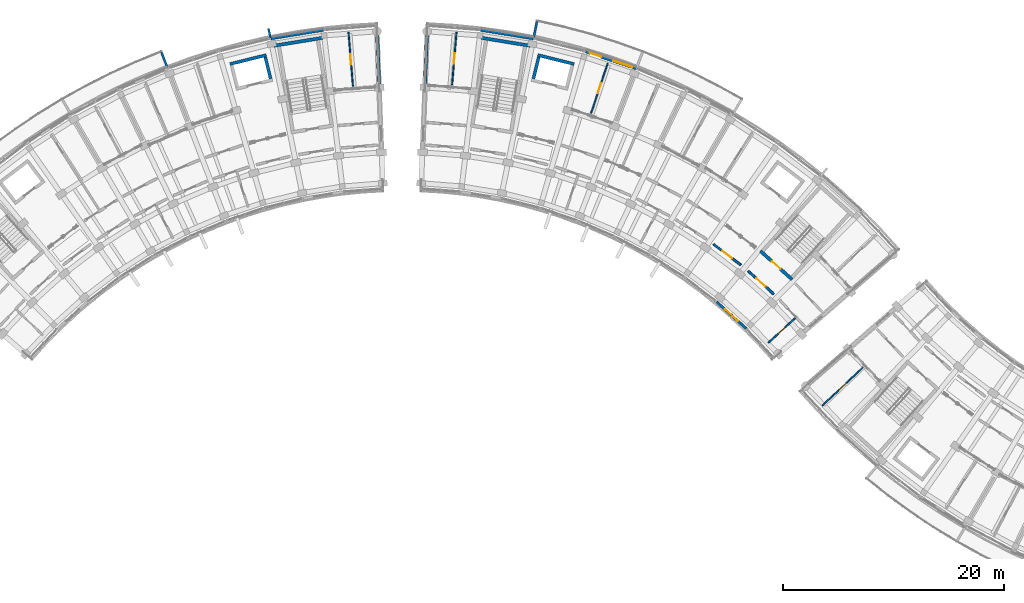
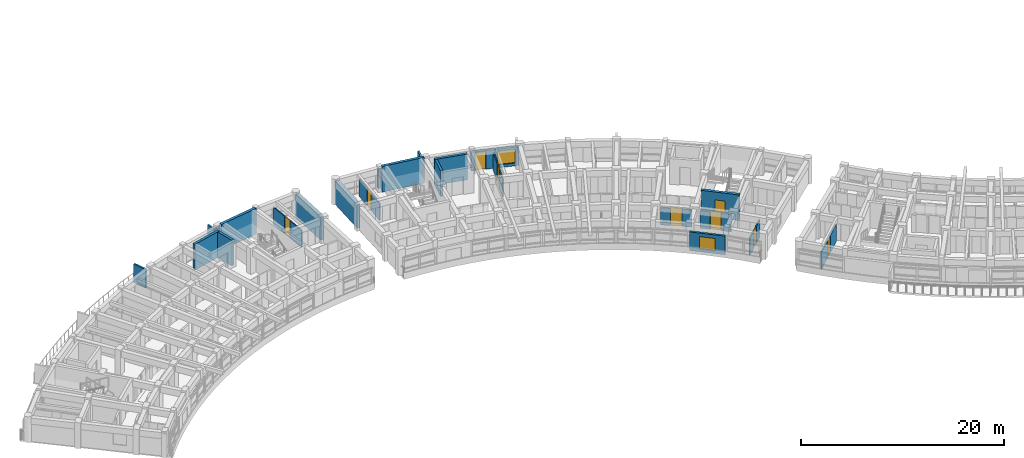
# One storey, part 48 of 70: 23 walls, 9 doors, 2 windows, 11 openings.
"""IFC4 building model written with IfcOpenShell, lengths in metres."""

from ifc_helpers import new_model, si_unit, direction, frame, frame_2d, origin, place, context, subcontext, project, spatial, rectangle, extrude, material, layer, layer_set, type_object, element, fill, save


model = new_model("IFC4")

# Units and contexts
model_context = context("Model", 3, precision=1e-05, world=origin(), true_north=direction((0.0, 1.0)))
body_context = subcontext(model_context, "Body", "Model", "MODEL_VIEW")
ifc_project = project(units=[si_unit("LENGTHUNIT", "METRE"), si_unit("AREAUNIT", "SQUARE_METRE"), si_unit("VOLUMEUNIT", "CUBIC_METRE"), si_unit("PLANEANGLEUNIT", "RADIAN"), si_unit("MASSUNIT", "GRAM", prefix="KILO")], contexts=[model_context])

# Site, building, storey
site_placement = place(None, origin())
site = spatial("IfcSite", under=ifc_project, at=site_placement, CompositionType="ELEMENT")
building_placement = place(site_placement, origin())
building = spatial("IfcBuilding", under=site, at=building_placement, Name="Zimvara Arc Housing Community", CompositionType="ELEMENT")
storey_placement = place(building_placement, frame((0.0, 0.0, 8.10009765625)))
storey = spatial("IfcBuildingStorey", under=building, at=storey_placement, Name="L02", CompositionType="ELEMENT", Elevation=8.10009765625)

# Wall, opening, window
ifc_material_1 = material(Name="Board-Marked Fair-Faced Concrete C35/45", Category="concrete")
ifc_layer_1 = layer(ifc_material_1, 0.22998046875)
ifc_layer_set_1 = layer_set([ifc_layer_1], Name="Board-Marked Fair-Faced Concrete C35/45")
wall_type_1 = type_object("IfcWallType", Name="EWL-CONC-230", PredefinedType="SOLIDWALL", material=ifc_layer_set_1)
wall_1_placement = place(storey_placement, frame((73.480712890625, 78.84716796875, 0.0), z_axis=(0.0, 0.0, 1.0), x_axis=(0.743385092197, -0.668863666751, 0.0)))
wall_1 = element("IfcWall", 1, at=wall_1_placement, inside=storey, type_object=wall_type_1, Name="ewall:blkB:L02:in:b8", PredefinedType="SOLIDWALL", context=body_context, shape_type="SweptSolid", body=[
    extrude(rectangle(XDim=3.603759765625, YDim=0.22998046875, at=frame_2d((1.8017578125, 0.0))), origin(), (0.0, 0.0, 1.0), 2.25),
])
opening_1_placement = place(wall_1_placement, frame((1.001708984375, 0.0, 0.320068359375)))
opening_1 = element("IfcOpeningElement", 2, at=opening_1_placement, cuts=wall_1, Name="Opening W03", PredefinedType="OPENING", context=body_context, shape_type="SweptSolid", body=[
    extrude(rectangle(XDim=1.60009765625, YDim=1.5, at=frame_2d((0.800048828125, 0.75))), frame((0.0, 0.125, 0.0), z_axis=(0.0, -1.0, 0.0), x_axis=(1.0, 0.0, 0.0)), (0.0, 0.0, 1.0), 0.25),
])
ifc_material_2 = material(Name="Solar Control Low-E Double Glazing", Category="glass")
window_type_1 = type_object("IfcWindowType", Name="WIN-RES-1600x1500", PartitioningType="DOUBLE_PANEL_VERTICAL", PredefinedType="WINDOW", material=ifc_material_2)
window_1_placement = place(opening_1_placement, origin())
window_1 = element("IfcWindow", 3, at=window_1_placement, inside=storey, type_object=window_type_1, Name="win:blkB:L02:in:b8", OverallHeight=1.5, OverallWidth=1.60009765625, PartitioningType="DOUBLE_PANEL_VERTICAL", PredefinedType="WINDOW", context=body_context, shape_type="SweptSolid", body=[
    extrude(rectangle(XDim=1.60009765625, YDim=1.5, at=frame_2d((0.800048828125, 0.75))), frame((0.0, 0.030029296875, 0.0), z_axis=(0.0, -1.0, 0.0), x_axis=(1.0, 0.0, 0.0)), (0.0, 0.0, 1.0), 0.06005859375),
])
fill(opening_1, window_1)

# Walls
ifc_material_3 = material(Name="Board-Marked Fair-Faced Concrete C35/45", Category="concrete")
ifc_layer_2 = layer(ifc_material_3, 0.195068359375)
ifc_layer_set_2 = layer_set([ifc_layer_2], Name="Board-Marked Fair-Faced Concrete C35/45")
wall_type_2 = type_object("IfcWallType", Name="EWL-PARA-195", PredefinedType="PARAPET", material=ifc_layer_set_2)
wall_2_placement = place(storey_placement, frame((23.783203125, 100.0029296875, 0.0), z_axis=(0.0, 0.0, 1.0), x_axis=(-0.356957296461, 0.934120703391, 0.0)))
element("IfcWall", 4, at=wall_2_placement, inside=storey, type_object=wall_type_2, Name="finwall:blkA:L02:out:b6", PredefinedType="PARAPET", context=body_context, shape_type="SweptSolid", body=[
    extrude(rectangle(XDim=1.530029296875, YDim=0.195068359375, at=frame_2d((0.76513671875, 0.0))), origin(), (0.0, 0.0, 1.0), 2.25),
])
wall_3_placement = place(storey_placement, frame((33.092529296875, 102.714599609375, 0.0), z_axis=(0.0, 0.0, 1.0), x_axis=(-0.200183211319, 0.979758481416, 0.0)))
element("IfcWall", 5, at=wall_3_placement, inside=storey, type_object=wall_type_2, Name="finwall:blkA:L02:out:b8", PredefinedType="PARAPET", context=body_context, shape_type="SweptSolid", body=[
    extrude(rectangle(XDim=0.900146484375, YDim=0.195068359375, at=frame_2d((0.4501953125, 0.0))), origin(), (0.0, 0.0, 1.0), 2.25),
])
wall_4_placement = place(storey_placement, frame((56.907470703125, 102.714599609375, 0.0), z_axis=(0.0, 0.0, 1.0), x_axis=(0.200410159258, 0.979712084271, 0.0)))
element("IfcWall", 6, at=wall_4_placement, inside=storey, type_object=wall_type_2, Name="finwall:blkB:L02:out:b2", PredefinedType="PARAPET", context=body_context, shape_type="SweptSolid", body=[
    extrude(rectangle(XDim=1.530029296875, YDim=0.195068359375, at=frame_2d((0.76513671875, 0.0))), origin(), (0.0, 0.0, 1.0), 2.25),
])
ifc_material_4 = material(Name="Board-Marked Fair-Faced Concrete C35/45", Category="concrete")
ifc_layer_3 = layer(ifc_material_4, 0.248046875)
ifc_layer_set_3 = layer_set([ifc_layer_3], Name="Board-Marked Fair-Faced Concrete C35/45")
wall_type_3 = type_object("IfcWallType", Name="EWL-VAR-17", PredefinedType="SOLIDWALL", material=ifc_layer_set_3)
for number, where, z_axis, x_axis, name in (
    (7, (33.120361328125, 102.6787109375, 0.0), (0.0, 0.0, 1.0), (0.987080750493, 0.160223568819, 0.0), "ewall:blkA:L02:out:b8"),
    (8, (52.1328125, 103.44921875, 0.0), (0.0, 0.0, 1.0), (0.987080750493, -0.160223568819, 0.0), "ewall:blkB:L02:out:b1"),
):
    element("IfcWall", number, at=place(storey_placement, frame(where, z_axis=z_axis, x_axis=x_axis)), inside=storey, type_object=wall_type_3, Name=name, PredefinedType="SOLIDWALL", context=body_context, shape_type="SweptSolid", body=[
        extrude(rectangle(XDim=4.808837890625, YDim=0.248046875, at=frame_2d((2.404296875, 0.0))), origin(), (0.0, 0.0, 1.0), 2.25),
    ])

# Wall, openings, door, window
ifc_material_5 = material(Name="Board-Marked Fair-Faced Concrete C35/45", Category="concrete")
ifc_layer_4 = layer(ifc_material_5, 0.258056640625)
ifc_layer_set_4 = layer_set([ifc_layer_4], Name="Board-Marked Fair-Faced Concrete C35/45")
wall_type_4 = type_object("IfcWallType", Name="EWL-VAR-19", PredefinedType="SOLIDWALL", material=ifc_layer_set_4)
wall_5_placement = place(storey_placement, frame((61.625244140625, 101.50439453125, 0.0), z_axis=(0.0, 0.0, 1.0), x_axis=(0.947867898788, -0.318663531717, 0.0)))
wall_5 = element("IfcWall", 9, at=wall_5_placement, inside=storey, type_object=wall_type_4, Name="ewall:blkB:L02:out:b3", PredefinedType="SOLIDWALL", context=body_context, shape_type="SweptSolid", body=[
    extrude(rectangle(XDim=4.80908203125, YDim=0.258056640625, at=frame_2d((2.404541015625, 0.0))), origin(), (0.0, 0.0, 1.0), 2.25),
])
opening_2_placement = place(wall_5_placement, frame((0.39990234375, 0.0, 0.0)))
opening_2 = element("IfcOpeningElement", 10, at=opening_2_placement, cuts=wall_5, Name="Opening ED06", PredefinedType="OPENING", context=body_context, shape_type="SweptSolid", body=[
    extrude(rectangle(XDim=1.10009765625, YDim=2.14990234375, at=frame_2d((0.550048828125, 1.074951171875))), frame((0.0, 0.138916015625, 0.0), z_axis=(0.0, -1.0, 0.0), x_axis=(1.0, 0.0, 0.0)), (0.0, 0.0, 1.0), 0.278076171875),
])
opening_3_placement = place(wall_5_placement, frame((2.658935546875, 0.0, 0.35009765625)))
opening_3 = element("IfcOpeningElement", 11, at=opening_3_placement, cuts=wall_5, Name="Opening W08", PredefinedType="OPENING", context=body_context, shape_type="SweptSolid", body=[
    extrude(rectangle(XDim=1.800048828125, YDim=1.64990234375, at=frame_2d((0.89990234375, 0.824951171875))), frame((0.0, 0.138916015625, 0.0), z_axis=(0.0, -1.0, 0.0), x_axis=(1.0, 0.0, 0.0)), (0.0, 0.0, 1.0), 0.278076171875),
])
ifc_material_6 = material(Name="Anodised Aluminium AW-6063", Category="aluminium")
door_type_1 = type_object("IfcDoorType", Name="EDR-TERR-1100x2150", OperationType="NOTDEFINED", PredefinedType="DOOR", material=ifc_material_6)
door_1_placement = place(opening_2_placement, origin())
door_1 = element("IfcDoor", 12, at=door_1_placement, inside=storey, type_object=door_type_1, Name="edoor:blkB:L02:bal_out:b3", OperationType="SINGLE_SWING_LEFT", OverallHeight=2.14990234375, OverallWidth=1.10009765625, PredefinedType="DOOR", context=body_context, shape_type="SweptSolid", body=[
    extrude(rectangle(XDim=1.10009765625, YDim=2.14990234375, at=frame_2d((0.550048828125, 1.074951171875))), frame((0.0, 0.02490234375, 0.0), z_axis=(0.0, -1.0, 0.0), x_axis=(1.0, 0.0, 0.0)), (0.0, 0.0, 1.0), 0.050048828125),
])
fill(opening_2, door_1)
ifc_material_7 = material(Name="Solar Control Low-E Double Glazing", Category="glass")
window_type_2 = type_object("IfcWindowType", Name="WIN-RES-1800x1650", PartitioningType="TRIPLE_PANEL_VERTICAL", PredefinedType="WINDOW", material=ifc_material_7)
window_2_placement = place(opening_3_placement, origin())
window_2 = element("IfcWindow", 13, at=window_2_placement, inside=storey, type_object=window_type_2, Name="win:blkB:L02:out:b3:balw", OverallHeight=1.64990234375, OverallWidth=1.800048828125, PartitioningType="TRIPLE_PANEL_VERTICAL", PredefinedType="WINDOW", context=body_context, shape_type="SweptSolid", body=[
    extrude(rectangle(XDim=1.800048828125, YDim=1.64990234375, at=frame_2d((0.89990234375, 0.824951171875))), frame((0.0, 0.030029296875, 0.0), z_axis=(0.0, -1.0, 0.0), x_axis=(1.0, 0.0, 0.0)), (0.0, 0.0, 1.0), 0.06005859375),
])
fill(opening_3, window_2)

# Wall, opening, door
ifc_material_8 = material(Name="Concrete C35/45", Category="concrete")
ifc_layer_5 = layer(ifc_material_8, 0.2099609375)
ifc_layer_set_5 = layer_set([ifc_layer_5], Name="Concrete C35/45")
wall_type_5 = type_object("IfcWallType", Name="IWL-CCF-210", PredefinedType="SOLIDWALL", material=ifc_layer_set_5)
wall_6_placement = place(storey_placement, frame((76.317138671875, 81.644287109375, 0.0), z_axis=(0.0, 0.0, 1.0), x_axis=(0.743387266925, -0.668861249718, 0.0)))
wall_6 = element("IfcWall", 14, at=wall_6_placement, inside=storey, type_object=wall_type_5, Name="iwall:blkB:L02:ccf_div:b8", PredefinedType="SOLIDWALL", context=body_context, shape_type="SweptSolid", body=[
    extrude(rectangle(XDim=3.12841796875, YDim=0.2099609375, at=frame_2d((1.564208984375, 0.0))), origin(), (0.0, 0.0, 1.0), 2.079833984375),
])
opening_4_placement = place(wall_6_placement, frame((1.014404296875, 0.0, 0.0)))
opening_4 = element("IfcOpeningElement", 15, at=opening_4_placement, cuts=wall_6, Name="Opening FD-CCF1", PredefinedType="OPENING", context=body_context, shape_type="SweptSolid", body=[
    extrude(rectangle(XDim=1.10009765625, YDim=2.14990234375, at=frame_2d((0.550048828125, 1.074951171875))), frame((0.0, 0.114990234375, 0.0), z_axis=(0.0, -1.0, 0.0), x_axis=(1.0, 0.0, 0.0)), (0.0, 0.0, 1.0), 0.22998046875),
])
ifc_material_9 = material(Name="Anodised Aluminium AW-6063", Category="aluminium")
door_type_2 = type_object("IfcDoorType", Name="IDR-CCF-1100x2150", OperationType="NOTDEFINED", PredefinedType="DOOR", material=ifc_material_9)
door_2_placement = place(opening_4_placement, origin())
door_2 = element("IfcDoor", 16, at=door_2_placement, inside=storey, type_object=door_type_2, Name="idoor:blkB:L02:ccf_in:b8", OperationType="SINGLE_SWING_RIGHT", OverallHeight=2.14990234375, OverallWidth=1.10009765625, PredefinedType="DOOR", context=body_context, shape_type="SweptSolid", body=[
    extrude(rectangle(XDim=1.10009765625, YDim=2.14990234375, at=frame_2d((0.550048828125, 1.074951171875))), frame((0.0, 0.02490234375, 0.0), z_axis=(0.0, -1.0, 0.0), x_axis=(1.0, 0.0, 0.0)), (0.0, 0.0, 1.0), 0.050048828125),
])
fill(opening_4, door_2)

ifc_material_10 = material(Name="Concrete C35/45", Category="concrete")
ifc_layer_6 = layer(ifc_material_10, 0.18994140625)
ifc_layer_set_6 = layer_set([ifc_layer_6], Name="Concrete C35/45")
wall_type_6 = type_object("IfcWallType", Name="IWL-CORR-190", PredefinedType="SOLIDWALL", material=ifc_layer_set_6)
wall_7_placement = place(storey_placement, frame((73.18212890625, 84.07568359375, 0.0), z_axis=(0.0, 0.0, 1.0), x_axis=(0.795501577908, -0.605951515838, 0.0)))
wall_7 = element("IfcWall", 17, at=wall_7_placement, inside=storey, type_object=wall_type_6, Name="iwall:blkB:L02:ra_div:b7", PredefinedType="SOLIDWALL", context=body_context, shape_type="SweptSolid", body=[
    extrude(rectangle(XDim=3.128662109375, YDim=0.18994140625, at=frame_2d((1.564453125, 0.0))), origin(), (0.0, 0.0, 1.0), 2.079833984375),
])
opening_5_placement = place(wall_7_placement, frame((1.00439453125, 0.0, 0.0)))
opening_5 = element("IfcOpeningElement", 18, at=opening_5_placement, cuts=wall_7, Name="Opening D07", PredefinedType="OPENING", context=body_context, shape_type="SweptSolid", body=[
    extrude(rectangle(XDim=1.1201171875, YDim=2.14990234375, at=frame_2d((0.56005859375, 1.074951171875))), frame((0.0, 0.10498046875, 0.0), z_axis=(0.0, -1.0, 0.0), x_axis=(1.0, 0.0, 0.0)), (0.0, 0.0, 1.0), 0.2099609375),
])
ifc_material_11 = material(Name="Mozambican Hardwood", Category="wood")
door_type_3 = type_object("IfcDoorType", Name="IDR-AMN-1120x2150", OperationType="NOTDEFINED", PredefinedType="DOOR", material=ifc_material_11)
door_3_placement = place(opening_5_placement, origin())
door_3 = element("IfcDoor", 19, at=door_3_placement, inside=storey, type_object=door_type_3, Name="idoor:blkB:L02:ra_d:b7", OperationType="SINGLE_SWING_LEFT", OverallHeight=2.14990234375, OverallWidth=1.1201171875, PredefinedType="DOOR", context=body_context, shape_type="SweptSolid", body=[
    extrude(rectangle(XDim=1.1201171875, YDim=2.14990234375, at=frame_2d((0.56005859375, 1.074951171875))), frame((0.0, 0.02490234375, 0.0), z_axis=(0.0, -1.0, 0.0), x_axis=(1.0, 0.0, 0.0)), (0.0, 0.0, 1.0), 0.050048828125),
])
fill(opening_5, door_3)

ifc_material_12 = material(Name="Painted Acoustic Plasterboard")
ifc_layer_7 = layer(ifc_material_12, 0.1201171875)
ifc_layer_set_7 = layer_set([ifc_layer_7], Name="Painted Acoustic Plasterboard")
wall_type_7 = type_object("IfcWallType", Name="IWL-PART-120", PredefinedType="PARTITIONING", material=ifc_layer_set_7)
wall_8_placement = place(storey_placement, frame((40.55908203125, 98.3671875, 0.0), z_axis=(0.0, 0.0, 1.0), x_axis=(-0.082158932509, 0.996619240136, 0.0)))
wall_8 = element("IfcWall", 20, at=wall_8_placement, inside=storey, type_object=wall_type_7, Name="iwall:blkA:L02:bed_div:b9", PredefinedType="PARTITIONING", context=body_context, shape_type="SweptSolid", body=[
    extrude(rectangle(XDim=4.900146484375, YDim=0.1201171875, at=frame_2d((2.4501953125, 0.0))), origin(), (0.0, 0.0, 1.0), 2.079833984375),
])
opening_6_placement = place(wall_8_placement, frame((1.989990234375, 0.0, 0.0)))
opening_6 = element("IfcOpeningElement", 21, at=opening_6_placement, cuts=wall_8, Name="Opening D02", PredefinedType="OPENING", context=body_context, shape_type="SweptSolid", body=[
    extrude(rectangle(XDim=0.919921875, YDim=2.10009765625, at=frame_2d((0.4599609375, 1.050048828125))), frame((0.0, 0.070068359375, 0.0), z_axis=(0.0, -1.0, 0.0), x_axis=(1.0, 0.0, 0.0)), (0.0, 0.0, 1.0), 0.14013671875),
])
ifc_material_13 = material(Name="Mozambican Hardwood", Category="wood")
door_type_4 = type_object("IfcDoorType", Name="IDR-RM-0920x2100", OperationType="NOTDEFINED", PredefinedType="DOOR", material=ifc_material_13)
door_4_placement = place(opening_6_placement, origin())
door_4 = element("IfcDoor", 22, at=door_4_placement, inside=storey, type_object=door_type_4, Name="idoor:blkA:L02:bed_d:b9", OperationType="SINGLE_SWING_LEFT", OverallHeight=2.10009765625, OverallWidth=0.919921875, PredefinedType="DOOR", context=body_context, shape_type="SweptSolid", body=[
    extrude(rectangle(XDim=0.919921875, YDim=2.10009765625, at=frame_2d((0.4599609375, 1.050048828125))), frame((0.0, 0.02490234375, 0.0), z_axis=(0.0, -1.0, 0.0), x_axis=(1.0, 0.0, 0.0)), (0.0, 0.0, 1.0), 0.050048828125),
])
fill(opening_6, door_4)

wall_9_placement = place(storey_placement, frame((49.53466796875, 98.510009765625, 0.0), z_axis=(0.0, 0.0, 1.0), x_axis=(0.083623955126, 0.996497382901, 0.0)))
wall_9 = element("IfcWall", 23, at=wall_9_placement, inside=storey, type_object=wall_type_7, Name="iwall:blkB:L02:bed_div:b0", PredefinedType="PARTITIONING", context=body_context, shape_type="SweptSolid", body=[
    extrude(rectangle(XDim=4.75, YDim=0.1201171875, at=frame_2d((2.375, 0.0))), origin(), (0.0, 0.0, 1.0), 2.079833984375),
])
opening_7_placement = place(wall_9_placement, frame((1.89501953125, 0.0, 0.0)))
opening_7 = element("IfcOpeningElement", 24, at=opening_7_placement, cuts=wall_9, Name="Opening D04", PredefinedType="OPENING", context=body_context, shape_type="SweptSolid", body=[
    extrude(rectangle(XDim=0.9599609375, YDim=2.10009765625, at=frame_2d((0.47998046875, 1.050048828125))), frame((0.0, 0.070068359375, 0.0), z_axis=(0.0, -1.0, 0.0), x_axis=(1.0, 0.0, 0.0)), (0.0, 0.0, 1.0), 0.14013671875),
])
ifc_material_14 = material(Name="Mozambican Hardwood", Category="wood")
door_type_5 = type_object("IfcDoorType", Name="IDR-RM-0960x2100", OperationType="NOTDEFINED", PredefinedType="DOOR", material=ifc_material_14)
door_5_placement = place(opening_7_placement, origin())
door_5 = element("IfcDoor", 25, at=door_5_placement, inside=storey, type_object=door_type_5, Name="idoor:blkB:L02:bed_d:b0", OperationType="SINGLE_SWING_LEFT", OverallHeight=2.10009765625, OverallWidth=0.9599609375, PredefinedType="DOOR", context=body_context, shape_type="SweptSolid", body=[
    extrude(rectangle(XDim=0.9599609375, YDim=2.10009765625, at=frame_2d((0.47998046875, 1.050048828125))), frame((0.0, 0.02490234375, 0.0), z_axis=(0.0, -1.0, 0.0), x_axis=(1.0, 0.0, 0.0)), (0.0, 0.0, 1.0), 0.050048828125),
])
fill(opening_7, door_5)

wall_10_placement = place(storey_placement, frame((62.11474609375, 95.927001953125, 0.0), z_axis=(0.0, 0.0, 1.0), x_axis=(0.31574970662, 0.94884251737, 0.0)))
wall_10 = element("IfcWall", 26, at=wall_10_placement, inside=storey, type_object=wall_type_7, Name="iwall:blkB:L02:bed_div:b3", PredefinedType="PARTITIONING", context=body_context, shape_type="SweptSolid", body=[
    extrude(rectangle(XDim=4.749755859375, YDim=0.1201171875, at=frame_2d((2.375, 0.0))), origin(), (0.0, 0.0, 1.0), 2.079833984375),
])
opening_8_placement = place(wall_10_placement, frame((1.909912109375, 0.0, 0.0)))
opening_8 = element("IfcOpeningElement", 27, at=opening_8_placement, cuts=wall_10, Name="Opening D13", PredefinedType="OPENING", context=body_context, shape_type="SweptSolid", body=[
    extrude(rectangle(XDim=0.929931640625, YDim=2.10009765625, at=frame_2d((0.46484375, 1.050048828125))), frame((0.0, 0.070068359375, 0.0), z_axis=(0.0, -1.0, 0.0), x_axis=(1.0, 0.0, 0.0)), (0.0, 0.0, 1.0), 0.14013671875),
])
ifc_material_15 = material(Name="Mozambican Hardwood", Category="wood")
door_type_6 = type_object("IfcDoorType", Name="IDR-MOD-930x2180", OperationType="NOTDEFINED", PredefinedType="DOOR", material=ifc_material_15)
door_6_placement = place(opening_8_placement, origin())
door_6 = element("IfcDoor", 28, at=door_6_placement, inside=storey, type_object=door_type_6, Name="idoor:blkB:L02:bed_d:b3", OperationType="SINGLE_SWING_LEFT", OverallHeight=2.10009765625, OverallWidth=0.929931640625, PredefinedType="DOOR", context=body_context, shape_type="SweptSolid", body=[
    extrude(rectangle(XDim=0.929931640625, YDim=2.10009765625, at=frame_2d((0.46484375, 1.050048828125))), frame((0.0, 0.02490234375, 0.0), z_axis=(0.0, -1.0, 0.0), x_axis=(1.0, 0.0, 0.0)), (0.0, 0.0, 1.0), 0.050048828125),
])
fill(opening_8, door_6)

wall_11_placement = place(storey_placement, frame((86.72314453125, 72.92626953125, 0.0), z_axis=(0.0, 0.0, 1.0), x_axis=(-0.72831636485, -0.685241032551, 0.0)))
wall_11 = element("IfcWall", 29, at=wall_11_placement, inside=storey, type_object=wall_type_7, Name="iwall:blkC:L02:bed_div:b0", PredefinedType="PARTITIONING", context=body_context, shape_type="SweptSolid", body=[
    extrude(rectangle(XDim=5.050048828125, YDim=0.1201171875, at=frame_2d((2.52490234375, 0.0))), origin(), (0.0, 0.0, 1.0), 2.079833984375),
])
opening_9_placement = place(wall_11_placement, frame((2.074951171875, 0.0, 0.0)))
opening_9 = element("IfcOpeningElement", 30, at=opening_9_placement, cuts=wall_11, Name="Opening D01", PredefinedType="OPENING", context=body_context, shape_type="SweptSolid", body=[
    extrude(rectangle(XDim=0.89990234375, YDim=2.10009765625, at=frame_2d((0.449951171875, 1.050048828125))), frame((0.0, 0.070068359375, 0.0), z_axis=(0.0, -1.0, 0.0), x_axis=(1.0, 0.0, 0.0)), (0.0, 0.0, 1.0), 0.14013671875),
])
ifc_material_16 = material(Name="Mozambican Hardwood", Category="wood")
door_type_7 = type_object("IfcDoorType", Name="IDR-RM-0900x2100", OperationType="NOTDEFINED", PredefinedType="DOOR", material=ifc_material_16)
door_7_placement = place(opening_9_placement, origin())
door_7 = element("IfcDoor", 31, at=door_7_placement, inside=storey, type_object=door_type_7, Name="idoor:blkC:L02:bed_d:b0", OperationType="SINGLE_SWING_RIGHT", OverallHeight=2.10009765625, OverallWidth=0.89990234375, PredefinedType="DOOR", context=body_context, shape_type="SweptSolid", body=[
    extrude(rectangle(XDim=0.89990234375, YDim=2.10009765625, at=frame_2d((0.449951171875, 1.050048828125))), frame((0.0, 0.02490234375, 0.0), z_axis=(0.0, -1.0, 0.0), x_axis=(1.0, 0.0, 0.0)), (0.0, 0.0, 1.0), 0.050048828125),
])
fill(opening_9, door_7)

ifc_material_17 = material(Name="Painted Acoustic Plasterboard")
ifc_layer_8 = layer(ifc_material_17, 0.14501953125)
ifc_layer_set_8 = layer_set([ifc_layer_8], Name="Painted Acoustic Plasterboard")
wall_type_8 = type_object("IfcWallType", Name="IWL-WET-145", PredefinedType="PARTITIONING", material=ifc_layer_set_8)
wall_12_placement = place(storey_placement, frame((78.16259765625, 75.139404296875, 0.0), z_axis=(0.0, 0.0, 1.0), x_axis=(0.734519733107, 0.678587327967, 0.0)))
wall_12 = element("IfcWall", 32, at=wall_12_placement, inside=storey, type_object=wall_type_8, Name="iwall:blkB:L02:ens:b9", PredefinedType="PARTITIONING", context=body_context, shape_type="SweptSolid", body=[
    extrude(rectangle(XDim=3.2998046875, YDim=0.14501953125, at=frame_2d((1.64990234375, 0.0))), origin(), (0.0, 0.0, 1.0), 2.079833984375),
])
opening_10_placement = place(wall_12_placement, frame((1.2099609375, 0.0, 0.0)))
opening_10 = element("IfcOpeningElement", 33, at=opening_10_placement, cuts=wall_12, Name="Opening D05", PredefinedType="OPENING", context=body_context, shape_type="SweptSolid", body=[
    extrude(rectangle(XDim=0.8798828125, YDim=2.10009765625, at=frame_2d((0.43994140625, 1.050048828125))), frame((0.0, 0.08251953125, 0.0), z_axis=(0.0, -1.0, 0.0), x_axis=(1.0, 0.0, 0.0)), (0.0, 0.0, 1.0), 0.1650390625),
])
ifc_material_18 = material(Name="Mozambican Hardwood", Category="wood")
door_type_8 = type_object("IfcDoorType", Name="IDR-WC-0880x2100", OperationType="NOTDEFINED", PredefinedType="DOOR", material=ifc_material_18)
door_8_placement = place(opening_10_placement, origin())
door_8 = element("IfcDoor", 34, at=door_8_placement, inside=storey, type_object=door_type_8, Name="idoor:blkB:L02:ens_d:b9", OperationType="SINGLE_SWING_LEFT", OverallHeight=2.10009765625, OverallWidth=0.8798828125, PredefinedType="DOOR", context=body_context, shape_type="SweptSolid", body=[
    extrude(rectangle(XDim=0.8798828125, YDim=2.10009765625, at=frame_2d((0.43994140625, 1.050048828125))), frame((0.0, 0.02490234375, 0.0), z_axis=(0.0, -1.0, 0.0), x_axis=(1.0, 0.0, 0.0)), (0.0, 0.0, 1.0), 0.050048828125),
])
fill(opening_10, door_8)

# Walls
ifc_material_19 = material(Name="Concrete C40/50", Category="concrete")
ifc_layer_9 = layer(ifc_material_19, 0.280029296875)
ifc_layer_set_9 = layer_set([ifc_layer_9], Name="Concrete C40/50")
wall_type_9 = type_object("IfcWallType", Name="WL-CORE-280", PredefinedType="SHEAR", material=ifc_layer_set_9)
wall_13_placement = place(storey_placement, frame((32.71826171875, 101.1845703125, 0.0), z_axis=(0.0, 0.0, 1.0), x_axis=(-0.970711699588, -0.240247364777, 0.0)))
element("IfcWall", 35, at=wall_13_placement, inside=storey, type_object=wall_type_9, Name="lwall:LF-A2:L02:back", PredefinedType="SHEAR", context=body_context, shape_type="SweptSolid", body=[
    extrude(rectangle(XDim=3.39013671875, YDim=0.280029296875, at=frame_2d((1.695068359375, 0.0))), origin(), (0.0, 0.0, 1.0), 3.099853515625),
])
wall_14_placement = place(storey_placement, frame((33.103515625, 99.04443359375, 0.0), z_axis=(0.0, 0.0, 1.0), x_axis=(-0.240186044774, 0.970726873995, 0.0)))
element("IfcWall", 36, at=wall_14_placement, inside=storey, type_object=wall_type_9, Name="lwall:LF-A2:L02:left", PredefinedType="SHEAR", context=body_context, shape_type="SweptSolid", body=[
    extrude(rectangle(XDim=2.02978515625, YDim=0.280029296875, at=frame_2d((1.014892578125, 0.0))), origin(), (0.0, 0.0, 1.0), 3.099853515625),
])
wall_15_placement = place(storey_placement, frame((60.572509765625, 100.3701171875, 0.0), z_axis=(0.0, 0.0, 1.0), x_axis=(-0.970711699588, 0.240247364777, 0.0)))
element("IfcWall", 37, at=wall_15_placement, inside=storey, type_object=wall_type_9, Name="lwall:LF-B1:L02:back", PredefinedType="SHEAR", context=body_context, shape_type="SweptSolid", body=[
    extrude(rectangle(XDim=3.39013671875, YDim=0.280029296875, at=frame_2d((1.695068359375, 0.0))), origin(), (0.0, 0.0, 1.0), 3.099853515625),
])
wall_16_placement = place(storey_placement, frame((56.896484375, 99.04443359375, 0.0), z_axis=(0.0, 0.0, 1.0), x_axis=(0.240186044774, 0.970726873995, 0.0)))
element("IfcWall", 38, at=wall_16_placement, inside=storey, type_object=wall_type_9, Name="lwall:LF-B1:L02:right", PredefinedType="SHEAR", context=body_context, shape_type="SweptSolid", body=[
    extrude(rectangle(XDim=2.02978515625, YDim=0.280029296875, at=frame_2d((1.014892578125, 0.0))), origin(), (0.0, 0.0, 1.0), 3.099853515625),
])
ifc_material_20 = material(Name="Concrete C40/50", Category="concrete")
ifc_layer_10 = layer(ifc_material_20, 0.300048828125)
ifc_layer_set_10 = layer_set([ifc_layer_10], Name="Concrete C40/50")
wall_type_10 = type_object("IfcWallType", Name="WL-CORE-300", PredefinedType="SHEAR", material=ifc_layer_set_10)
for number, where, z_axis, x_axis, name in (
    (39, (37.8095703125, 102.745361328125, 0.0), (0.0, 0.0, 1.0), (-0.987084710126, -0.160199173019, 0.0), "cwall:ST-A2:L02:far"),
    (40, (56.6025390625, 102.029296875, 0.0), (0.0, 0.0, 1.0), (-0.987084710126, 0.160199173019, 0.0), "cwall:ST-B1:L02:far"),
):
    element("IfcWall", number, at=place(storey_placement, frame(where, z_axis=z_axis, x_axis=x_axis)), inside=storey, type_object=wall_type_10, Name=name, PredefinedType="SHEAR", context=body_context, shape_type="SweptSolid", body=[
        extrude(rectangle(XDim=4.4697265625, YDim=0.300048828125, at=frame_2d((2.23486328125, 0.0))), origin(), (0.0, 0.0, 1.0), 3.099853515625),
    ])

# Wall, opening, door
wall_17_placement = place(storey_placement, frame((80.320068359375, 80.861572265625, 0.0), z_axis=(0.0, 0.0, 1.0), x_axis=(-0.743375696158, 0.668874109501, 0.0)))
wall_17 = element("IfcWall", 41, at=wall_17_placement, inside=storey, type_object=wall_type_10, Name="cwall:ST-B2:L02:near", PredefinedType="SHEAR", context=body_context, shape_type="SweptSolid", body=[
    extrude(rectangle(XDim=3.8701171875, YDim=0.300048828125, at=frame_2d((1.93505859375, 0.0))), origin(), (0.0, 0.0, 1.0), 3.099853515625),
])
opening_11_placement = place(wall_17_placement, frame((1.409912109375, 0.0, 0.0)))
opening_11 = element("IfcOpeningElement", 42, at=opening_11_placement, cuts=wall_17, Name="Opening FD-ST2", PredefinedType="OPENING", context=body_context, shape_type="SweptSolid", body=[
    extrude(rectangle(XDim=1.050048828125, YDim=2.14990234375, at=frame_2d((0.52490234375, 1.074951171875))), frame((0.0, 0.159912109375, 0.0), z_axis=(0.0, -1.0, 0.0), x_axis=(1.0, 0.0, 0.0)), (0.0, 0.0, 1.0), 0.320068359375),
])
ifc_material_21 = material(Name="Anodised Aluminium AW-6063", Category="aluminium")
door_type_9 = type_object("IfcDoorType", Name="IDR-ST-1050x2150", OperationType="NOTDEFINED", PredefinedType="DOOR", material=ifc_material_21)
door_9_placement = place(opening_11_placement, origin())
door_9 = element("IfcDoor", 43, at=door_9_placement, inside=storey, type_object=door_type_9, Name="idoor:ST-B2:L02:entry", OperationType="SINGLE_SWING_RIGHT", OverallHeight=2.14990234375, OverallWidth=1.050048828125, PredefinedType="DOOR", context=body_context, shape_type="SweptSolid", body=[
    extrude(rectangle(XDim=1.050048828125, YDim=2.14990234375, at=frame_2d((0.52490234375, 1.074951171875))), frame((0.0, 0.02490234375, 0.0), z_axis=(0.0, -1.0, 0.0), x_axis=(1.0, 0.0, 0.0)), (0.0, 0.0, 1.0), 0.050048828125),
])
fill(opening_11, door_9)

# Walls
ifc_material_22 = material(Name="Concrete C40/50", Category="concrete")
ifc_layer_11 = layer(ifc_material_22, 0.31005859375)
ifc_layer_set_11 = layer_set([ifc_layer_11], Name="Concrete C40/50")
wall_type_11 = type_object("IfcWallType", Name="WL-SHEAR-310", PredefinedType="SHEAR", material=ifc_layer_set_11)
for number, where, z_axis, x_axis, name in (
    (44, (42.927734375, 98.440185546875, 0.0), (0.0, 0.0, 1.0), (-0.038379487611, 0.999263236055, 0.0), "swall:blkA:L02:east"),
    (45, (47.072265625, 98.440185546875, 0.0), (0.0, 0.0, 1.0), (0.038379487611, 0.999263236055, 0.0), "swall:blkB:L02:west"),
):
    element("IfcWall", number, at=place(storey_placement, frame(where, z_axis=z_axis, x_axis=x_axis)), inside=storey, type_object=wall_type_11, Name=name, PredefinedType="SHEAR", context=body_context, shape_type="SweptSolid", body=[
        extrude(rectangle(XDim=4.719970703125, YDim=0.31005859375, at=frame_2d((2.35986328125, 0.0))), origin(), (0.0, 0.0, 1.0), 2.85986328125),
    ])

save(model, "model.ifc")
